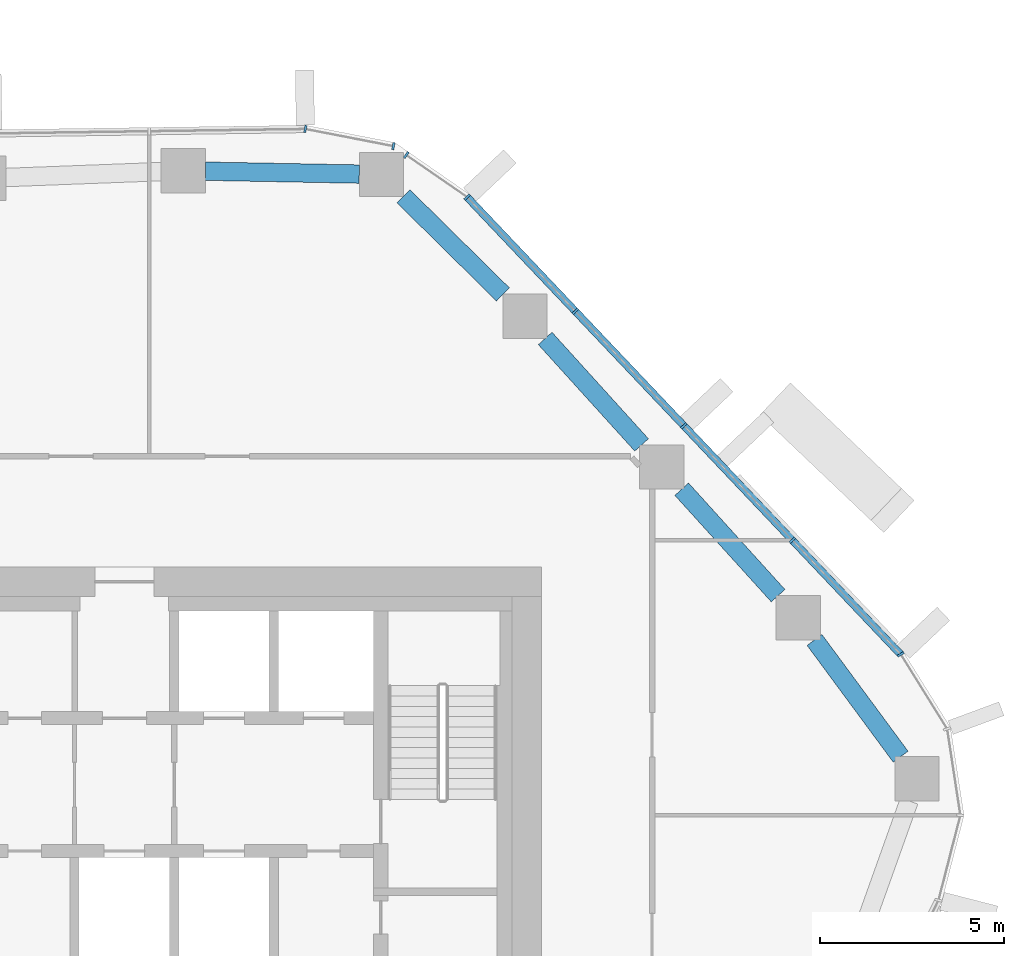
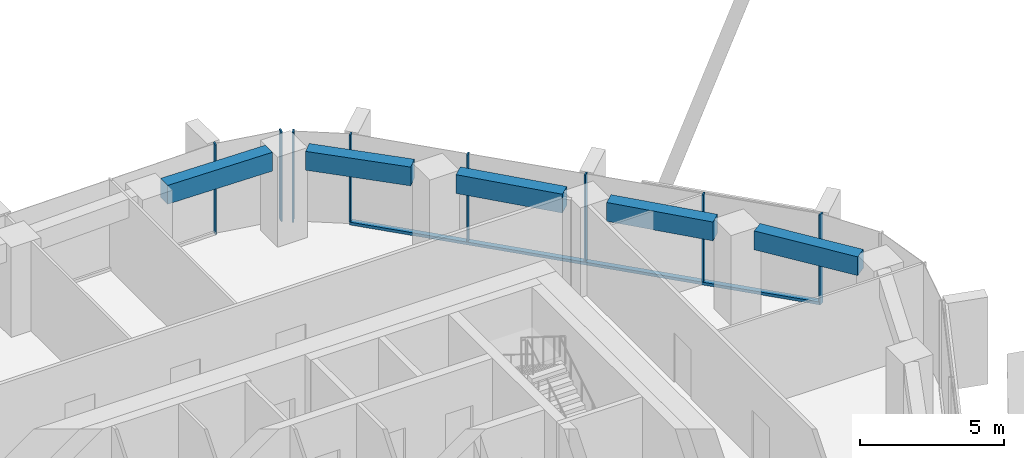
# One storey, part 6 of 18: 9 members, 5 beams, 4 elements without a shape of their own.
"""IFC4 building model written with IfcOpenShell, lengths in metres."""

import ifcopenshell
import ifcopenshell.guid

model = None  # the IFC model being written
_history = None  # IfcOwnerHistory: only IFC2X3 demands one
_inside = {}  # id of a spatial element -> (the spatial element, [elements in it])
_under = {}  # id of a project, library or spatial element -> (it, [spatial elements below it])
_declared = {}  # id of a project -> (the project, [libraries it declares])
_typed = {}  # id of a type object -> (the type object, [elements of that type])
_made_of = {}  # id of a material, layer set ... -> (it, [elements and type objects made of it])


def new_model(schema):
    """Start an empty IFC model of exactly this schema.

    Asked for "IFC4X3", IfcOpenShell would pick the latest addendum, in which some entities
    have other attributes; the version numbers below select the first issue.
    IFC2X3 requires an IfcOwnerHistory on every rooted entity: one is made here for all.
    """
    global model, _history
    if schema == "IFC4X3":
        model = ifcopenshell.file(schema_version=(4, 3, 0, 0))
    else:
        model = ifcopenshell.file(schema=schema)
    _inside.clear()
    _under.clear()
    _declared.clear()
    _typed.clear()
    _made_of.clear()
    _history = None
    if model.schema == "IFC2X3":
        org = make("IfcOrganization", Name="unknown")
        user = make(
            "IfcPersonAndOrganization",
            ThePerson=make("IfcPerson", FamilyName="unknown"),
            TheOrganization=org,
        )
        app = make(
            "IfcApplication",
            ApplicationDeveloper=org,
            Version="unknown",
            ApplicationFullName="unknown",
            ApplicationIdentifier="unknown",
        )
        _history = make(
            "IfcOwnerHistory",
            OwningUser=user,
            OwningApplication=app,
            ChangeAction="ADDED",
            CreationDate=0,
        )
    return model


def make(cls, **values):
    """One entity of the class cls with the attributes given. An attribute that is None is left unset."""
    return model.create_entity(
        cls, **{name: value for name, value in values.items() if value is not None}
    )


def rooted(cls, **values):
    """An entity with a GlobalId (a new one), such as an element, a storey or a relation."""
    return make(cls, GlobalId=ifcopenshell.guid.new(), OwnerHistory=_history, **values)


def si_unit(unit_type, name, prefix=None):
    """IfcSIUnit, for example si_unit("LENGTHUNIT", "METRE", prefix="MILLI")."""
    return make("IfcSIUnit", UnitType=unit_type, Prefix=prefix, Name=name)


def assignment(units):
    """IfcUnitAssignment: the units of a project."""
    return None if units is None else make("IfcUnitAssignment", Units=units)


def point(xyz):
    """IfcCartesianPoint."""
    return None if xyz is None else make("IfcCartesianPoint", Coordinates=xyz)


def direction(xyz):
    """IfcDirection."""
    return None if xyz is None else make("IfcDirection", DirectionRatios=xyz)


def frame(location, z_axis=None, x_axis=None):
    """IfcAxis2Placement3D, a coordinate frame: its origin and axes. An axis left out is left unset."""
    return make(
        "IfcAxis2Placement3D",
        Location=point(location),
        Axis=direction(z_axis),
        RefDirection=direction(x_axis),
    )


def frame_2d(location, x_axis=None):
    """IfcAxis2Placement2D, a coordinate frame in the plane: its origin and x axis."""
    return make(
        "IfcAxis2Placement2D", Location=point(location), RefDirection=direction(x_axis)
    )


def origin():
    """The frame at (0, 0, 0) with its axes left unset."""
    return frame((0.0, 0.0, 0.0))


def origin_2d():
    """The frame at (0, 0) in the plane with its x axis left unset."""
    return frame_2d((0.0, 0.0))


def place(relative_to, where):
    """IfcLocalPlacement: puts the frame where relative to a parent placement (None: the world)."""
    return make(
        "IfcLocalPlacement", PlacementRelTo=relative_to, RelativePlacement=where
    )


def context(
    kind, dimensions, precision=None, world=None, true_north=None, identifier=None
):
    """IfcGeometricRepresentationContext, for example the 3D "Model" context."""
    return make(
        "IfcGeometricRepresentationContext",
        ContextIdentifier=identifier,
        ContextType=kind,
        CoordinateSpaceDimension=dimensions,
        Precision=precision,
        WorldCoordinateSystem=world,
        TrueNorth=true_north,
    )


def subcontext(parent, identifier, kind, view, scale=None):
    """IfcGeometricRepresentationSubContext, for example "Body" below "Model"."""
    return make(
        "IfcGeometricRepresentationSubContext",
        ContextIdentifier=identifier,
        ContextType=kind,
        ParentContext=parent,
        TargetScale=scale,
        TargetView=view,
    )


def project(units=None, contexts=None):
    """IfcProject with its units and contexts."""
    return rooted(
        "IfcProject",
        Name="project",
        RepresentationContexts=contexts,
        UnitsInContext=assignment(units),
    )


def spatial(cls, under=None, at=None, **own):
    """A site, building, storey or space (cls), placed at a placement, below another one or the project."""
    s = rooted(cls, ObjectPlacement=at, **own)
    if under is not None:
        _under.setdefault(under.id(), (under, []))[1].append(s)
    return s


def profile(cls, at=None, kind="AREA", **sizes):
    """A parametric profile (cls). Its sizes go by their IFC names, for example OverallWidth=200.0."""
    return make(cls, ProfileType=kind, Position=at, **sizes)


def rectangle(**sizes):
    """IfcRectangleProfileDef."""
    return profile("IfcRectangleProfileDef", **sizes)


def extrude(swept, where, along, depth):
    """IfcExtrudedAreaSolid: the profile swept, set in the frame where, extruded along a direction by depth."""
    return make(
        "IfcExtrudedAreaSolid",
        SweptArea=swept,
        Position=where,
        ExtrudedDirection=direction(along),
        Depth=depth,
    )


def shape(context_of_items, identifier, shape_type, items):
    """IfcShapeRepresentation: the items that make up one representation, for example the "Body"."""
    return make(
        "IfcShapeRepresentation",
        ContextOfItems=context_of_items,
        RepresentationIdentifier=identifier,
        RepresentationType=shape_type,
        Items=items,
    )


def material(Name=None, Category=None):
    """IfcMaterial."""
    return make("IfcMaterial", Name=Name, Category=Category)


def layer(
    of_material, thickness, ventilated=None, Name=None, Category=None, Priority=None
):
    """IfcMaterialLayer: one layer of a wall or slab, of a material (None: an air gap)."""
    return make(
        "IfcMaterialLayer",
        Material=of_material,
        LayerThickness=thickness,
        IsVentilated=ventilated,
        Name=Name,
        Category=Category,
        Priority=Priority,
    )


def layer_set(layers, Name=None):
    """IfcMaterialLayerSet."""
    return make("IfcMaterialLayerSet", MaterialLayers=layers, LayerSetName=Name)


def material_profile(
    of_material, cross_section, Name=None, Category=None, Priority=None
):
    """IfcMaterialProfile: a cross section and its material."""
    return make(
        "IfcMaterialProfile",
        Name=Name,
        Material=of_material,
        Profile=cross_section,
        Priority=Priority,
        Category=Category,
    )


def profile_set(profiles, Name=None, composite=None):
    """IfcMaterialProfileSet."""
    return make(
        "IfcMaterialProfileSet",
        Name=Name,
        MaterialProfiles=profiles,
        CompositeProfile=composite,
    )


def made_of(thing, what):
    """Note that an element or type object is made of a material, layer set ...; save() writes the relation."""
    if what is not None:
        _made_of.setdefault(what.id(), (what, []))[1].append(thing)
    return thing


def type_object(cls, material=None, **own):
    """A type object (cls), such as IfcWallType, which elements share."""
    return made_of(rooted(cls, **own), material)


def element(
    cls,
    number,
    at=None,
    inside=None,
    cuts=None,
    type_object=None,
    material=None,
    context=None,
    identifier="Body",
    shape_type=None,
    held_by="IfcProductDefinitionShape",
    body=None,
    shapes=None,
    **own,
):
    """One element of the class cls, such as IfcWall. Its Tag is "e" and its number.

    at: its placement. inside: the storey or other place that contains it. cuts: it is an
    opening in that element (IfcRelVoidsElement). A single representation is given by context,
    identifier, shape_type and body (its items); several are given by shapes. held_by: the class
    of the entity that holds the representations. save() writes the other relations.
    """
    e = rooted(cls, Tag="e%d" % number, ObjectPlacement=at, **own)
    if body is not None:
        shapes = [shape(context, identifier, shape_type, body)]
    if shapes is not None:
        e.Representation = make(held_by, Representations=shapes)
    if inside is not None:
        _inside.setdefault(inside.id(), (inside, []))[1].append(e)
    if cuts is not None:
        rooted(
            "IfcRelVoidsElement", RelatingBuildingElement=cuts, RelatedOpeningElement=e
        )
    if type_object is not None:
        _typed.setdefault(type_object.id(), (type_object, []))[1].append(e)
    return made_of(e, material)


def aggregate(whole, parts):
    """IfcRelAggregates: a whole, such as a stair, and the parts it consists of."""
    return rooted("IfcRelAggregates", RelatingObject=whole, RelatedObjects=parts)


def save(model, path):
    """Write the relations noted so far, then the file.

    IfcRelAggregates (storeys below a building ...), IfcRelContainedInSpatialStructure (elements
    in a storey), IfcRelDefinesByType, IfcRelAssociatesMaterial and IfcRelDeclares: one each for
    every whole, place, type object, material and project.
    """
    for whole, parts in _under.values():
        aggregate(whole, parts)
    for where, things in _inside.values():
        rooted(
            "IfcRelContainedInSpatialStructure",
            RelatedElements=things,
            RelatingStructure=where,
        )
    for kind, things in _typed.values():
        rooted("IfcRelDefinesByType", RelatedObjects=things, RelatingType=kind)
    for what, things in _made_of.values():
        rooted("IfcRelAssociatesMaterial", RelatedObjects=things, RelatingMaterial=what)
    for by, libraries in _declared.values():
        rooted("IfcRelDeclares", RelatingContext=by, RelatedDefinitions=libraries)
    model.write(path)


model = new_model("IFC4")

# Units and contexts
model_context = context("Model", 3, precision=1e-05, world=origin(), true_north=direction((0.0, 1.0)))
body_context = subcontext(model_context, "Body", "Model", "MODEL_VIEW")
ifc_project = project(units=[si_unit("LENGTHUNIT", "METRE"), si_unit("AREAUNIT", "SQUARE_METRE"), si_unit("VOLUMEUNIT", "CUBIC_METRE"), si_unit("PLANEANGLEUNIT", "RADIAN"), si_unit("MASSUNIT", "GRAM", prefix="KILO")], contexts=[model_context])

# Site, building, storey
site_placement = place(None, origin())
site = spatial("IfcSite", under=ifc_project, at=site_placement, CompositionType="ELEMENT")
building_placement = place(site_placement, origin())
building = spatial("IfcBuilding", under=site, at=building_placement, Name="Dongbaek Canopy Tower", CompositionType="ELEMENT")
storey_placement = place(building_placement, frame((0.0, 0.0, 167.0)))
storey = spatial("IfcBuildingStorey", under=building, at=storey_placement, Name="L36", CompositionType="ELEMENT", Elevation=167.0)

# Curtain wall, member
ifc_material_1 = material(Name="Aluminium 6063-T6 pale anodised", Category="aluminium")
ifc_layer = layer(ifc_material_1, 0.199951171875)
ifc_layer_set = layer_set([ifc_layer], Name="CW-1 unitised tower curtain wall")
curtain_wall_type = type_object("IfcCurtainWallType", Name="CW-1 unitised tower curtain wall", PredefinedType="NOTDEFINED", material=ifc_layer_set)
curtain_wall_1_placement = place(storey_placement, origin())
curtain_wall_1 = element("IfcCurtainWall", 1, at=curtain_wall_1_placement, inside=storey, type_object=curtain_wall_type, Name="CW-1 curtain wall K0.1", PredefinedType="NOTDEFINED")
ifc_material_2 = material(Name="Aluminium 6063-T6 pale anodised", Category="aluminium")
ifc_material_profile_1 = material_profile(ifc_material_2, rectangle(XDim=0.199951171875, YDim=0.06005859375, at=origin_2d()), Name="CW-1 mullion 60 x 200")
ifc_profile_set_1 = profile_set([ifc_material_profile_1], Name="Aluminium 6063-T6 pale anodised")
member_type_1 = type_object("IfcMemberType", Name="CW-1 mullion 60 x 200", PredefinedType="MULLION", material=ifc_profile_set_1)
member_1_placement = place(storey_placement, frame((23.738037109375, 8.6298828125, 0.0), z_axis=(0.0, 0.0, 1.0), x_axis=(0.849036032046, 0.528334947063, 0.0)))
member_1 = element("IfcMember", 2, at=member_1_placement, type_object=member_type_1, Name="CW-1 mullion K0.1.4", PredefinedType="MULLION", context=body_context, shape_type="SweptSolid", body=[
    extrude(rectangle(XDim=0.199951171875, YDim=0.06005859375, at=origin_2d()), origin(), (0.0, 0.0, 1.0), 3.820068359375),
])
aggregate(curtain_wall_1, [member_1])

# Curtain wall, members
curtain_wall_2_placement = place(storey_placement, origin())
curtain_wall_2 = element("IfcCurtainWall", 3, at=curtain_wall_2_placement, inside=storey, type_object=curtain_wall_type, Name="CW-1 curtain wall F0.1", PredefinedType="NOTDEFINED")
member_2_placement = place(storey_placement, frame((20.803955078125, 11.724609375, 0.1201171875), z_axis=(0.0, 0.0, 1.0), x_axis=(0.725670208769, 0.688042693519, 0.0)))
member_2 = element("IfcMember", 4, at=member_2_placement, type_object=member_type_1, Name="CW-1 mullion F0.1.2", PredefinedType="MULLION", context=body_context, shape_type="SweptSolid", body=[
    extrude(rectangle(XDim=0.199951171875, YDim=0.06005859375, at=origin_2d()), origin(), (0.0, 0.0, 1.0), 3.699951171875),
])
member_3_placement = place(storey_placement, frame((17.86279296875, 14.826416015625, 0.1201171875), z_axis=(0.0, 0.0, 1.0), x_axis=(0.725670208769, 0.688042693519, 0.0)))
member_3 = element("IfcMember", 5, at=member_3_placement, type_object=member_type_1, Name="CW-1 mullion F0.1.3", PredefinedType="MULLION", context=body_context, shape_type="SweptSolid", body=[
    extrude(rectangle(XDim=0.199951171875, YDim=0.06005859375, at=origin_2d()), origin(), (0.0, 0.0, 1.0), 3.699951171875),
])
member_4_placement = place(storey_placement, frame((14.921875, 17.92822265625, 0.1201171875), z_axis=(0.0, 0.0, 1.0), x_axis=(0.725670208769, 0.688042693519, 0.0)))
member_4 = element("IfcMember", 6, at=member_4_placement, type_object=member_type_1, Name="CW-1 mullion F0.1.4", PredefinedType="MULLION", context=body_context, shape_type="SweptSolid", body=[
    extrude(rectangle(XDim=0.199951171875, YDim=0.06005859375, at=origin_2d()), origin(), (0.0, 0.0, 1.0), 3.699951171875),
])
member_5_placement = place(storey_placement, frame((11.988037109375, 21.022705078125, 0.1201171875), z_axis=(0.0, 0.0, 1.0), x_axis=(0.725670208769, 0.688042693519, 0.0)))
member_5 = element("IfcMember", 7, at=member_5_placement, type_object=member_type_1, Name="CW-1 mullion F0.1.5", PredefinedType="MULLION", context=body_context, shape_type="SweptSolid", body=[
    extrude(rectangle(XDim=0.199951171875, YDim=0.06005859375, at=origin_2d()), origin(), (0.0, 0.0, 1.0), 3.699951171875),
])

# Curtain wall, member
curtain_wall_3_placement = place(storey_placement, origin())
curtain_wall_3 = element("IfcCurtainWall", 8, at=curtain_wall_3_placement, inside=storey, type_object=curtain_wall_type, Name="CW-1 curtain wall K1.1a", PredefinedType="NOTDEFINED")
member_6_placement = place(storey_placement, frame((10.340087890625, 22.163330078125, 0.0), z_axis=(0.0, 0.0, 1.0), x_axis=(0.569121067059, 0.822253738836, 0.0)))
member_6 = element("IfcMember", 9, at=member_6_placement, type_object=member_type_1, Name="CW-1 mullion K1.1a.2", PredefinedType="MULLION", context=body_context, shape_type="SweptSolid", body=[
    extrude(rectangle(XDim=0.199951171875, YDim=0.06005859375, at=origin_2d()), origin(), (0.0, 0.0, 1.0), 3.820068359375),
])
aggregate(curtain_wall_3, [member_6])

# Curtain wall, members
curtain_wall_4_placement = place(storey_placement, origin())
curtain_wall_4 = element("IfcCurtainWall", 10, at=curtain_wall_4_placement, inside=storey, type_object=curtain_wall_type, Name="CW-1 curtain wall K1.1b", PredefinedType="NOTDEFINED")
member_7_placement = place(storey_placement, frame((9.989990234375, 22.405517578125, 0.0), z_axis=(0.0, 0.0, 1.0), x_axis=(0.1911107542, 0.981568479338, 0.0)))
member_7 = element("IfcMember", 11, at=member_7_placement, type_object=member_type_1, Name="CW-1 mullion K1.1b.1", PredefinedType="MULLION", context=body_context, shape_type="SweptSolid", body=[
    extrude(rectangle(XDim=0.199951171875, YDim=0.06005859375, at=origin_2d()), origin(), (0.0, 0.0, 1.0), 3.820068359375),
])
member_8_placement = place(storey_placement, frame((7.604736328125, 22.869873046875, 0.0), z_axis=(0.0, 0.0, 1.0), x_axis=(0.1911107542, 0.981568479338, 0.0)))
member_8 = element("IfcMember", 12, at=member_8_placement, type_object=member_type_1, Name="CW-1 mullion K1.1b.2", PredefinedType="MULLION", context=body_context, shape_type="SweptSolid", body=[
    extrude(rectangle(XDim=0.199951171875, YDim=0.06005859375, at=origin_2d()), origin(), (0.0, 0.0, 1.0), 3.820068359375),
])
aggregate(curtain_wall_4, [member_7, member_8])

# Member
ifc_material_3 = material(Name="Aluminium 6063-T6 pale anodised", Category="aluminium")
ifc_material_profile_2 = material_profile(ifc_material_3, rectangle(XDim=0.199951171875, YDim=0.1201171875, at=origin_2d()), Name="CW-1 transom 120 x 200")
ifc_profile_set_2 = profile_set([ifc_material_profile_2], Name="Aluminium 6063-T6 pale anodised")
member_type_2 = type_object("IfcMemberType", Name="CW-1 transom 120 x 200", PredefinedType="USERDEFINED", material=ifc_profile_set_2)
member_9_placement = place(storey_placement, frame((23.738037109375, 8.6298828125, 0.06005859375), z_axis=(-0.688035645726, 0.725676891055, 0.0), x_axis=(-0.725676891055, -0.688035645726, 0.0)))
member_9 = element("IfcMember", 13, at=member_9_placement, type_object=member_type_2, Name="CW-1 transom F0.1.1", ObjectType="TRANSOM", PredefinedType="USERDEFINED", context=body_context, shape_type="SweptSolid", body=[
    extrude(rectangle(XDim=0.199951171875, YDim=0.1201171875, at=origin_2d()), origin(), (0.0, 0.0, 1.0), 17.07763671875),
])

aggregate(curtain_wall_2, [member_2, member_3, member_4, member_5, member_9])

# Beams
ifc_material_4 = material(Name="Concrete C70", Category="concrete")
ifc_material_profile_3 = material_profile(ifc_material_4, rectangle(XDim=0.5, YDim=0.800048828125, at=origin_2d()), Name="RC EDGE BEAM 500x800 C70")
ifc_profile_set_3 = profile_set([ifc_material_profile_3], Name="Concrete C70")
beam_type = type_object("IfcBeamType", Name="RC EDGE BEAM 500x800 C70", PredefinedType="BEAM", material=ifc_profile_set_3)
beam_1_placement = place(storey_placement, frame((4.89501953125, 21.724609375, 3.419921875), z_axis=(0.999823523871, -0.018786194753, 0.0), x_axis=(0.018786194753, 0.999823523871, 0.0)))
element("IfcBeam", 14, at=beam_1_placement, inside=storey, type_object=beam_type, Name="EDGEBEAM:L36:16", PredefinedType="BEAM", context=body_context, shape_type="SweptSolid", body=[
    extrude(rectangle(XDim=0.5, YDim=0.800048828125, at=origin_2d()), origin(), (0.0, 0.0, 1.0), 4.171630859375),
])
beam_2_placement = place(storey_placement, frame((10.26611328125, 21.04296875, 3.419921875), z_axis=(0.711703560094, -0.702479923236, 0.0), x_axis=(0.702479923236, 0.711703560094, 0.0)))
element("IfcBeam", 15, at=beam_2_placement, inside=storey, type_object=beam_type, Name="EDGEBEAM:L36:17", PredefinedType="BEAM", context=body_context, shape_type="SweptSolid", body=[
    extrude(rectangle(XDim=0.5, YDim=0.800048828125, at=origin_2d()), origin(), (0.0, 0.0, 1.0), 3.78515625),
])
beam_3_placement = place(storey_placement, frame((14.103515625, 17.19189453125, 3.419921875), z_axis=(0.67132037677, -0.741167289978, 0.0), x_axis=(0.741167289978, 0.67132037677, 0.0)))
element("IfcBeam", 16, at=beam_3_placement, inside=storey, type_object=beam_type, Name="EDGEBEAM:L36:18", PredefinedType="BEAM", context=body_context, shape_type="SweptSolid", body=[
    extrude(rectangle(XDim=0.5, YDim=0.800048828125, at=origin_2d()), origin(), (0.0, 0.0, 1.0), 3.893798828125),
])
beam_4_placement = place(storey_placement, frame((17.80419921875, 13.10595703125, 3.419921875), z_axis=(0.671238468475, -0.741241471074, 0.0), x_axis=(0.741241471074, 0.671238468475, 0.0)))
element("IfcBeam", 17, at=beam_4_placement, inside=storey, type_object=beam_type, Name="EDGEBEAM:L36:19", PredefinedType="BEAM", context=body_context, shape_type="SweptSolid", body=[
    extrude(rectangle(XDim=0.5, YDim=0.800048828125, at=origin_2d()), origin(), (0.0, 0.0, 1.0), 3.89208984375),
])
beam_5_placement = place(storey_placement, frame((21.402587890625, 9.02099609375, 3.419921875), z_axis=(0.593743199573, -0.804654592332, 0.0), x_axis=(0.804654592332, 0.593743199573, 0.0)))
element("IfcBeam", 18, at=beam_5_placement, inside=storey, type_object=beam_type, Name="EDGEBEAM:L36:20", PredefinedType="BEAM", context=body_context, shape_type="SweptSolid", body=[
    extrude(rectangle(XDim=0.5, YDim=0.800048828125, at=origin_2d()), origin(), (0.0, 0.0, 1.0), 3.93212890625),
])

save(model, "model.ifc")
